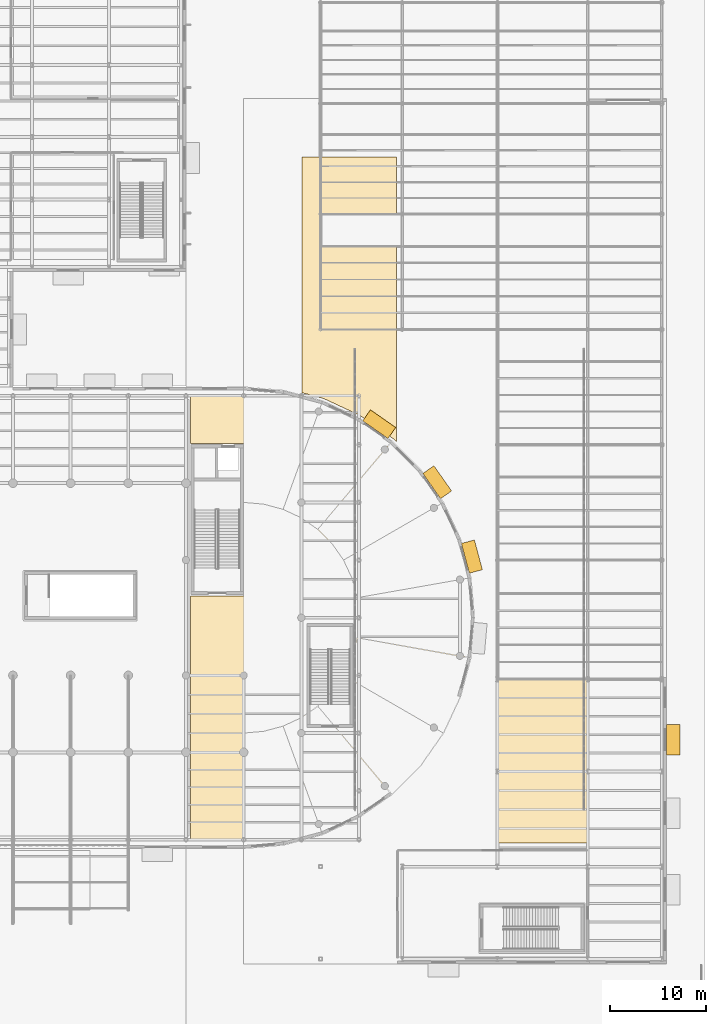
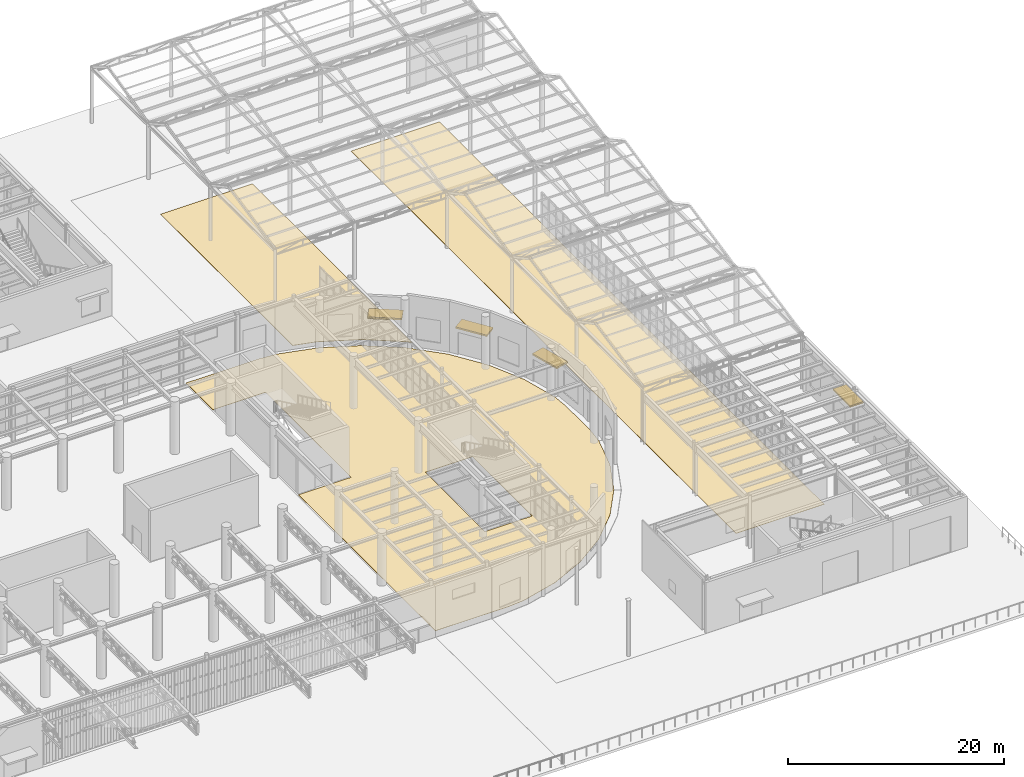
# One storey, part 117 of 118: 4 shading devices, 3 coverings.
"""IFC4 building model written with IfcOpenShell, lengths in metres."""

from ifc_helpers import new_model, si_unit, direction, frame, origin, origin_2d, place, context, subcontext, project, spatial, polyline, rectangle, outline, extrude, material, layer, layer_set, type_object, element, save


model = new_model("IFC4")

# Units and contexts
model_context = context("Model", 3, precision=1e-05, world=origin(), true_north=direction((0.0, 1.0)))
body_context = subcontext(model_context, "Body", "Model", "MODEL_VIEW")
ifc_project = project(units=[si_unit("LENGTHUNIT", "METRE"), si_unit("AREAUNIT", "SQUARE_METRE"), si_unit("VOLUMEUNIT", "CUBIC_METRE"), si_unit("PLANEANGLEUNIT", "RADIAN"), si_unit("MASSUNIT", "GRAM", prefix="KILO")], contexts=[model_context])

# Site, building, storey
site_placement = place(None, origin())
site = spatial("IfcSite", under=ifc_project, at=site_placement, CompositionType="ELEMENT")
building_placement = place(site_placement, origin())
building = spatial("IfcBuilding", under=site, at=building_placement, Name="Kolvaren Corner Interchange", CompositionType="ELEMENT")
storey_placement = place(building_placement, origin())
storey = spatial("IfcBuildingStorey", under=building, at=storey_placement, Name="L01", CompositionType="ELEMENT", Elevation=0.0)

# Coverings
ifc_material_1 = material(Name="Polished Niger Delta Granite Terrazzo Flooring", Category="masonry")
ifc_layer = layer(ifc_material_1, 0.030029296875)
ifc_layer_set = layer_set([ifc_layer], Name="Polished Niger Delta Granite Terrazzo Flooring")
covering_type = type_object("IfcCoveringType", Name="COV-FLR-TER30", PredefinedType="FLOORING", material=ifc_layer_set)
covering_1_placement = place(storey_placement, origin())
element("IfcCovering", 1, at=covering_1_placement, inside=storey, type_object=covering_type, Name="L01 East Bus Transfer Hall Floor Finish", PredefinedType="FLOORING", context=body_context, shape_type="SweptSolid", body=[
    extrude(outline(polyline([(114.47998046875, 66.1298828125), (120.050048828125, 66.1298828125), (120.094482421875, 66.116455078125), (120.123779296875, 66.08056640625), (120.1298828125, 50.35009765625), (120.106689453125, 50.29345703125), (120.050048828125, 50.27001953125), (114.47998046875, 50.27001953125), (114.47998046875, 24.8798828125), (122.282470703125, 24.8798828125), (124.049560546875, 25.03466796875), (127.975830078125, 26.086669921875), (131.659912109375, 27.804443359375), (134.989501953125, 30.135986328125), (137.864013671875, 33.010498046875), (140.195556640625, 36.340087890625), (141.913330078125, 40.024169921875), (142.96533203125, 43.950439453125), (143.1201171875, 45.717529296875), (143.1201171875, 50.282470703125), (142.96533203125, 52.049560546875), (141.913330078125, 55.975830078125), (140.195556640625, 59.659912109375), (137.864013671875, 62.989501953125), (134.989501953125, 65.864013671875), (131.659912109375, 68.195556640625), (127.975830078125, 69.913330078125), (124.049560546875, 70.96533203125), (122.282470703125, 71.1201171875), (114.47998046875, 71.1201171875), (114.47998046875, 66.1298828125)]), holes=[polyline([(126.493408203125, 36.493408203125), (126.469970703125, 36.550048828125), (126.47607421875, 47.480712890625), (126.505615234375, 47.5166015625), (126.550048828125, 47.530029296875), (131.480712890625, 47.52392578125), (131.5166015625, 47.494384765625), (131.530029296875, 47.449951171875), (131.52392578125, 36.519287109375), (131.494384765625, 36.4833984375), (131.449951171875, 36.469970703125), (126.550048828125, 36.469970703125), (126.493408203125, 36.493408203125)])]), origin(), (0.0, 0.0, 1.0), 0.030029296875),
])
covering_2_placement = place(storey_placement, origin())
element("IfcCovering", 2, at=covering_2_placement, inside=storey, type_object=covering_type, Name="L01 Bus Boarding Island West Floor Finish", PredefinedType="FLOORING", context=body_context, shape_type="SweptSolid", body=[
    extrude(outline(polyline([(135.919921875, 95.919921875), (126.080078125, 95.919921875), (126.080078125, 71.412109375), (128.30419921875, 70.81591796875), (132.139892578125, 69.027099609375), (135.601318359375, 66.603759765625), (135.919921875, 66.286865234375), (135.919921875, 95.919921875)])), origin(), (0.0, 0.0, 1.0), 0.030029296875),
])
covering_3_placement = place(storey_placement, origin())
element("IfcCovering", 3, at=covering_3_placement, inside=storey, type_object=covering_type, Name="L01 Bus Boarding Island East Floor Finish", PredefinedType="FLOORING", context=body_context, shape_type="SweptSolid", body=[
    extrude(outline(polyline([(146.47998046875, 24.580078125), (155.919921875, 24.580078125), (155.919921875, 95.919921875), (146.47998046875, 95.919921875), (146.47998046875, 24.580078125)])), origin(), (0.0, 0.0, 1.0), 0.030029296875),
])

# Shading devices
ifc_material_2 = material(Name="Anodised Aluminium Entrance Rain Canopy", Category="aluminium")
shading_device_type = type_object("IfcShadingDeviceType", Name="SHD-CAN-1400", PredefinedType="AWNING", material=ifc_material_2)
for number, where, z_axis, x_axis, name in (
    (4, (143.74658203125, 54.36279296875, 2.66015625), (0.0, 0.0, 1.0), (-0.258819045103, 0.965925826289, 0.0), "Entrance Monsoon Rain Canopy 015"),
    (5, (140.13818359375, 62.10107421875, 2.66015625), (0.0, 0.0, 1.0), (-0.573576436351, 0.819152044289, 0.0), "Entrance Monsoon Rain Canopy 016"),
    (6, (134.10107421875, 68.13818359375, 2.66015625), (0.0, 0.0, 1.0), (-0.819152044289, 0.573576436351, 0.0), "Entrance Monsoon Rain Canopy 017"),
    (7, (164.68505859375, 35.314453125, 2.60986328125), (0.0, 0.0, 1.0), (0.0, 1.0, 0.0), "Entrance Monsoon Rain Canopy 039"),
):
    element("IfcShadingDevice", number, at=place(storey_placement, frame(where, z_axis=z_axis, x_axis=x_axis)), inside=storey, type_object=shading_device_type, Name=name, PredefinedType="AWNING", context=body_context, shape_type="SweptSolid", body=[
        extrude(rectangle(XDim=3.199951171875, YDim=1.39990234375, at=origin_2d()), origin(), (0.0, 0.0, 1.0), 0.179931640625),
    ])

save(model, "model.ifc")
